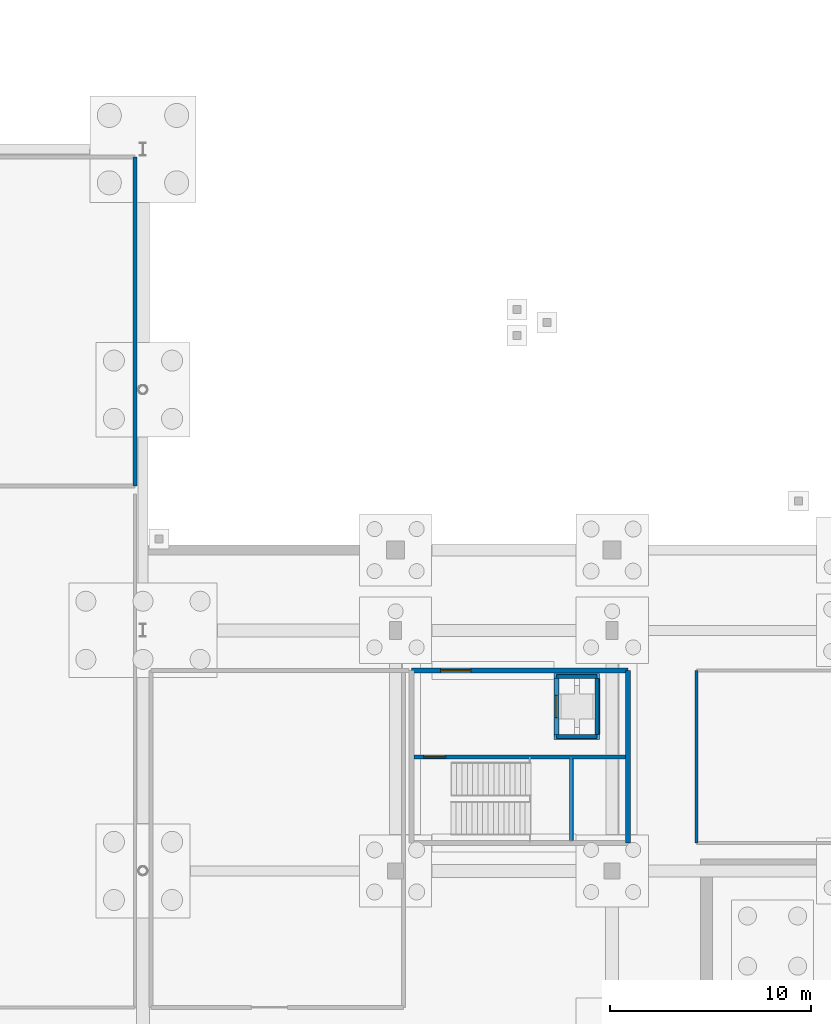
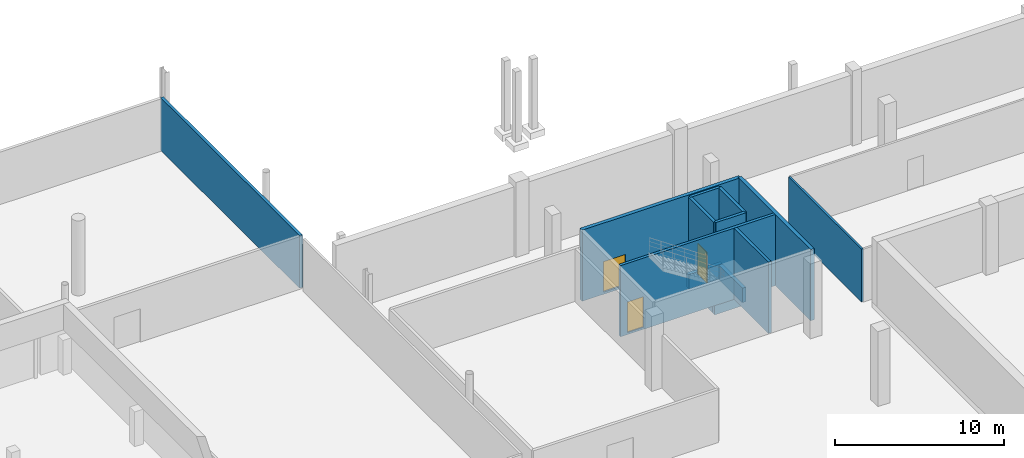
# One storey, part 28 of 42: 14 walls, 3 doors, 3 openings.
"""IFC4 building model written with IfcOpenShell, lengths in metres."""

from ifc_helpers import new_model, si_unit, direction, frame, frame_2d, origin, place, context, subcontext, project, spatial, rectangle, extrude, material, layer, layer_set, type_object, element, fill, save


model = new_model("IFC4")

# Units and contexts
model_context = context("Model", 3, precision=1e-05, world=origin(), true_north=direction((0.0, 1.0)))
body_context = subcontext(model_context, "Body", "Model", "MODEL_VIEW")
ifc_project = project(units=[si_unit("LENGTHUNIT", "METRE"), si_unit("AREAUNIT", "SQUARE_METRE"), si_unit("VOLUMEUNIT", "CUBIC_METRE"), si_unit("PLANEANGLEUNIT", "RADIAN"), si_unit("MASSUNIT", "GRAM", prefix="KILO"), si_unit("THERMODYNAMICTEMPERATUREUNIT", "KELVIN"), si_unit("POWERUNIT", "WATT")], contexts=[model_context])

# Site, building, storey
site_placement = place(None, origin())
site = spatial("IfcSite", under=ifc_project, at=site_placement, CompositionType="ELEMENT")
building_placement = place(site_placement, origin())
building = spatial("IfcBuilding", under=site, at=building_placement, Name="Solmara Park Aquatics Centre", CompositionType="ELEMENT")
storey_placement = place(building_placement, frame((0.0, 0.0, -5.39990234375)))
storey = spatial("IfcBuildingStorey", under=building, at=storey_placement, Name="B1", CompositionType="ELEMENT", Elevation=-5.39990234375)

# Wall
ifc_material_1 = material(Name="Double-Stud Acoustic Gypsum Partition", Category="gypsum")
ifc_layer_1 = layer(ifc_material_1, 0.139892578125, Name="Double-Stud Acoustic Gypsum Partition")
ifc_layer_set_1 = layer_set([ifc_layer_1], Name="Double-Stud Acoustic Gypsum Partition")
wall_type_1 = type_object("IfcWallType", Name="ARC-WL-ACU140", PredefinedType="PARTITIONING", material=ifc_layer_set_1)
wall_1_placement = place(storey_placement, frame((124.199951171875, 38.0, 0.0), z_axis=(0.0, 0.0, 1.0), x_axis=(0.0, 1.0, 0.0)))
element("IfcWall", 1, at=wall_1_placement, inside=storey, type_object=wall_type_1, Name="Interior Partition IW-B1-0018 (B1-OBS-01)", PredefinedType="PARTITIONING", context=body_context, shape_type="SweptSolid", body=[
    extrude(rectangle(XDim=8.60009765625, YDim=0.139892578125, at=frame_2d((4.300048828125, 0.0))), origin(), (0.0, 0.0, 1.0), 3.7998046875),
])

# Wall, opening, door
ifc_material_2 = material(Name="Concrete C40/50", Category="concrete")
ifc_layer_2 = layer(ifc_material_2, 0.25, Name="Concrete C40/50")
ifc_layer_set_2 = layer_set([ifc_layer_2], Name="Concrete C40/50")
wall_type_2 = type_object("IfcWallType", Name="ARC-WL-CORE250", PredefinedType="SHEAR", material=ifc_layer_set_2)
wall_2_placement = place(storey_placement, frame((110.0, 46.60009765625, -0.150146484375), z_axis=(0.0, 0.0, 1.0), x_axis=(1.0, 0.0, 0.0)))
wall_2 = element("IfcWall", 2, at=wall_2_placement, inside=storey, type_object=wall_type_2, Name="CORE-3 Core Wall N B1", PredefinedType="SHEAR", context=body_context, shape_type="SweptSolid", body=[
    extrude(rectangle(XDim=10.800048828125, YDim=0.25, at=frame_2d((5.39990234375, 0.0))), origin(), (0.0, 0.0, 1.0), 5.130126953125),
])
opening_1_placement = place(wall_2_placement, frame((1.449951171875, 0.0, 0.14990234375)))
opening_1 = element("IfcOpeningElement", 3, at=opening_1_placement, cuts=wall_2, Name="Opening D-12", PredefinedType="OPENING", context=body_context, shape_type="SweptSolid", body=[
    extrude(rectangle(XDim=1.5, YDim=2.199951171875, at=frame_2d((0.75, 1.10009765625))), frame((0.0, 0.135009765625, 0.0), z_axis=(0.0, -1.0, 0.0), x_axis=(1.0, 0.0, 0.0)), (0.0, 0.0, 1.0), 0.27001953125),
])
ifc_material_3 = material(Name="Moisture-Resistant HPL & Hardwood", Category="wood")
door_type_1 = type_object("IfcDoorType", Name="ARC-DR-FD150x220", OperationType="DOUBLE_DOOR_SINGLE_SWING", PredefinedType="DOOR", material=ifc_material_3)
door_1_placement = place(opening_1_placement, origin())
door_1 = element("IfcDoor", 4, at=door_1_placement, inside=storey, type_object=door_type_1, Name="CORE-3 Lobby Entry Fire Door B1", OperationType="DOUBLE_DOOR_SINGLE_SWING", OverallHeight=2.199951171875, OverallWidth=1.5, PredefinedType="DOOR", context=body_context, shape_type="SweptSolid", body=[
    extrude(rectangle(XDim=1.5, YDim=2.199951171875, at=frame_2d((0.75, 1.10009765625))), frame((0.0, 0.02490234375, 0.0), z_axis=(0.0, -1.0, 0.0), x_axis=(1.0, 0.0, 0.0)), (0.0, 0.0, 1.0), 0.050048828125),
])
fill(opening_1, door_1)

# Wall
wall_3_placement = place(storey_placement, frame((120.800048828125, 38.0, -0.150146484375), z_axis=(0.0, 0.0, 1.0), x_axis=(0.0, 1.0, 0.0)))
element("IfcWall", 5, at=wall_3_placement, inside=storey, type_object=wall_type_2, Name="CORE-3 Core Wall E B1", PredefinedType="SHEAR", context=body_context, shape_type="SweptSolid", body=[
    extrude(rectangle(XDim=8.60009765625, YDim=0.25, at=frame_2d((4.300048828125, 0.0))), origin(), (0.0, 0.0, 1.0), 5.130126953125),
])

# Wall, opening, door
ifc_material_4 = material(Name="Concrete C25/30 Autoclaved Aerated Fire Blockwork", Category="masonry")
ifc_layer_3 = layer(ifc_material_4, 0.199951171875, Name="Concrete C25/30 Autoclaved Aerated Fire Blockwork")
ifc_layer_set_3 = layer_set([ifc_layer_3], Name="Concrete C25/30 Autoclaved Aerated Fire Blockwork")
wall_type_3 = type_object("IfcWallType", Name="ARC-WL-FIRE200", PredefinedType="SOLIDWALL", material=ifc_layer_set_3)
wall_4_placement = place(storey_placement, frame((117.219970703125, 43.300048828125, -0.150146484375), z_axis=(0.0, 0.0, 1.0), x_axis=(0.0, 1.0, 0.0)))
wall_4 = element("IfcWall", 6, at=wall_4_placement, inside=storey, type_object=wall_type_3, Name="CORE-3 Lift Shaft Front Wall B1", PredefinedType="SOLIDWALL", context=body_context, shape_type="SweptSolid", body=[
    extrude(rectangle(XDim=3.0, YDim=0.199951171875, at=frame_2d((1.5, 0.0))), origin(), (0.0, 0.0, 1.0), 5.130126953125),
])
opening_2_placement = place(wall_4_placement, frame((0.949951171875, 0.0, 0.14990234375)))
opening_2 = element("IfcOpeningElement", 7, at=opening_2_placement, cuts=wall_4, Name="Opening D-09", PredefinedType="OPENING", context=body_context, shape_type="SweptSolid", body=[
    extrude(rectangle(XDim=1.10009765625, YDim=2.199951171875, at=frame_2d((0.550048828125, 1.10009765625))), frame((0.0, 0.10986328125, 0.0), z_axis=(0.0, -1.0, 0.0), x_axis=(1.0, 0.0, 0.0)), (0.0, 0.0, 1.0), 0.219970703125),
])
ifc_material_5 = material(Name="Stainless Steel", Category="steel")
door_type_2 = type_object("IfcDoorType", Name="ARC-DR-LD110x220", OperationType="DOUBLE_DOOR_SLIDING", PredefinedType="DOOR", material=ifc_material_5)
door_2_placement = place(opening_2_placement, origin())
door_2 = element("IfcDoor", 8, at=door_2_placement, inside=storey, type_object=door_type_2, Name="LF-05 Lift Landing Door B1", OperationType="DOUBLE_DOOR_SLIDING", OverallHeight=2.199951171875, OverallWidth=1.10009765625, PredefinedType="DOOR", context=body_context, shape_type="SweptSolid", body=[
    extrude(rectangle(XDim=1.10009765625, YDim=2.199951171875, at=frame_2d((0.550048828125, 1.10009765625))), frame((0.0, 0.02490234375, 0.0), z_axis=(0.0, -1.0, 0.0), x_axis=(1.0, 0.0, 0.0)), (0.0, 0.0, 1.0), 0.050048828125),
])
fill(opening_2, door_2)

# Walls
wall_5_placement = place(storey_placement, frame((119.25, 43.300048828125, -0.150146484375), z_axis=(0.0, 0.0, 1.0), x_axis=(0.0, 1.0, 0.0)))
element("IfcWall", 9, at=wall_5_placement, inside=storey, type_object=wall_type_3, Name="LF-05 Lift Shaft East Wall B1", PredefinedType="SOLIDWALL", context=body_context, shape_type="SweptSolid", body=[
    extrude(rectangle(XDim=3.0, YDim=0.199951171875, at=frame_2d((1.5, 0.0))), origin(), (0.0, 0.0, 1.0), 5.130126953125),
])
for number, where, z_axis, x_axis, name in (
    (10, (117.219970703125, 43.300048828125, -0.150146484375), (0.0, 0.0, 1.0), (1.0, 0.0, 0.0), "LF-05 Lift Shaft South Wall B1"),
    (11, (117.219970703125, 46.300048828125, -0.150146484375), (0.0, 0.0, 1.0), (1.0, 0.0, 0.0), "LF-05 Lift Shaft North Wall B1"),
):
    element("IfcWall", number, at=place(storey_placement, frame(where, z_axis=z_axis, x_axis=x_axis)), inside=storey, type_object=wall_type_3, Name=name, PredefinedType="SOLIDWALL", context=body_context, shape_type="SweptSolid", body=[
        extrude(rectangle(XDim=2.030029296875, YDim=0.199951171875, at=frame_2d((1.01513671875, 0.0))), origin(), (0.0, 0.0, 1.0), 5.130126953125),
    ])
wall_6_placement = place(storey_placement, frame((96.199951171875, 55.800048828125, 0.0), z_axis=(0.0, 0.0, 1.0), x_axis=(0.0, 1.0, 0.0)))
element("IfcWall", 12, at=wall_6_placement, inside=storey, type_object=wall_type_3, Name="Interior Partition IW-B1-0009 (B1-PLT-03)", PredefinedType="SOLIDWALL", context=body_context, shape_type="SweptSolid", body=[
    extrude(rectangle(XDim=16.39990234375, YDim=0.199951171875, at=frame_2d((8.199951171875, 0.0))), origin(), (0.0, 0.0, 1.0), 3.7998046875),
])
ifc_layer_4 = layer(ifc_material_2, 0.25, Name="Concrete C40/50")
ifc_layer_set_4 = layer_set([ifc_layer_4], Name="Concrete C40/50")
wall_type_4 = type_object("IfcWallType", Name="STR-WL-CORE250", PredefinedType="SHEAR", material=ifc_layer_set_4)
for number, where, z_axis, x_axis, name in (
    (13, (117.10009765625, 43.27490234375, -1.60009765625), (0.0, 0.0, 1.0), (1.0, 0.0, 0.0), "Lift Shaft LF-05 Pit Wall S"),
    (14, (117.10009765625, 46.324951171875, -1.60009765625), (0.0, 0.0, 1.0), (1.0, 0.0, 0.0), "Lift Shaft LF-05 Pit Wall N"),
):
    element("IfcWall", number, at=place(storey_placement, frame(where, z_axis=z_axis, x_axis=x_axis)), inside=storey, type_object=wall_type_4, Name=name, PredefinedType="SHEAR", context=body_context, shape_type="SweptSolid", body=[
        extrude(rectangle(XDim=2.27978515625, YDim=0.25, at=frame_2d((1.139892578125, 0.0))), origin(), (0.0, 0.0, 1.0), 1.050048828125),
    ])
for number, where, z_axis, x_axis, name in (
    (15, (117.22509765625, 43.409912109375, -1.60009765625), (0.0, 0.0, 1.0), (0.0, 1.0, 0.0), "Lift Shaft LF-05 Pit Wall W"),
    (16, (119.264892578125, 43.409912109375, -1.60009765625), (0.0, 0.0, 1.0), (0.0, 1.0, 0.0), "Lift Shaft LF-05 Pit Wall E"),
):
    element("IfcWall", number, at=place(storey_placement, frame(where, z_axis=z_axis, x_axis=x_axis)), inside=storey, type_object=wall_type_4, Name=name, PredefinedType="SHEAR", context=body_context, shape_type="SweptSolid", body=[
        extrude(rectangle(XDim=2.780029296875, YDim=0.25, at=frame_2d((1.39013671875, 0.0))), origin(), (0.0, 0.0, 1.0), 1.050048828125),
    ])

# Wall, opening, door
ifc_material_6 = material(Name="Concrete C35/45", Category="concrete")
ifc_layer_5 = layer(ifc_material_6, 0.199951171875, Name="Concrete C35/45")
ifc_layer_set_5 = layer_set([ifc_layer_5], Name="Concrete C35/45")
wall_type_5 = type_object("IfcWallType", Name="STR-WL-STAIR200", PredefinedType="SHEAR", material=ifc_layer_set_5)
wall_7_placement = place(storey_placement, frame((110.1201171875, 42.27490234375, -0.150146484375), z_axis=(0.0, 0.0, 1.0), x_axis=(1.0, 0.0, 0.0)))
wall_7 = element("IfcWall", 17, at=wall_7_placement, inside=storey, type_object=wall_type_5, Name="CORE-3 Stairwell Compartment Wall B1", PredefinedType="SHEAR", context=body_context, shape_type="SweptSolid", body=[
    extrude(rectangle(XDim=10.559814453125, YDim=0.199951171875, at=frame_2d((5.27978515625, 0.0))), origin(), (0.0, 0.0, 1.0), 5.130126953125),
])
opening_3_placement = place(wall_7_placement, frame((0.47998046875, 0.0, 0.14990234375)))
opening_3 = element("IfcOpeningElement", 18, at=opening_3_placement, cuts=wall_7, Name="Opening D-11", PredefinedType="OPENING", context=body_context, shape_type="SweptSolid", body=[
    extrude(rectangle(XDim=1.10009765625, YDim=2.199951171875, at=frame_2d((0.550048828125, 1.10009765625))), frame((0.0, 0.10986328125, 0.0), z_axis=(0.0, -1.0, 0.0), x_axis=(1.0, 0.0, 0.0)), (0.0, 0.0, 1.0), 0.219970703125),
])
door_type_3 = type_object("IfcDoorType", Name="ARC-DR-FD110x220", OperationType="NOTDEFINED", PredefinedType="DOOR", material=ifc_material_3)
door_3_placement = place(opening_3_placement, origin())
door_3 = element("IfcDoor", 19, at=door_3_placement, inside=storey, type_object=door_type_3, Name="ST-03 Fire Door B1", OperationType="SINGLE_SWING_LEFT", OverallHeight=2.199951171875, OverallWidth=1.10009765625, PredefinedType="DOOR", context=body_context, shape_type="SweptSolid", body=[
    extrude(rectangle(XDim=1.10009765625, YDim=2.199951171875, at=frame_2d((0.550048828125, 1.10009765625))), frame((0.0, 0.02490234375, 0.0), z_axis=(0.0, -1.0, 0.0), x_axis=(1.0, 0.0, 0.0)), (0.0, 0.0, 1.0), 0.050048828125),
])
fill(opening_3, door_3)

# Wall
wall_8_placement = place(storey_placement, frame((117.9599609375, 38.1201171875, -0.150146484375), z_axis=(0.0, 0.0, 1.0), x_axis=(0.0, 1.0, 0.0)))
element("IfcWall", 20, at=wall_8_placement, inside=storey, type_object=wall_type_5, Name="CORE-3 Stairwell East End Wall B1", PredefinedType="SHEAR", context=body_context, shape_type="SweptSolid", body=[
    extrude(rectangle(XDim=4.054931640625, YDim=0.199951171875, at=frame_2d((2.02734375, 0.0))), origin(), (0.0, 0.0, 1.0), 5.130126953125),
])

save(model, "model.ifc")
